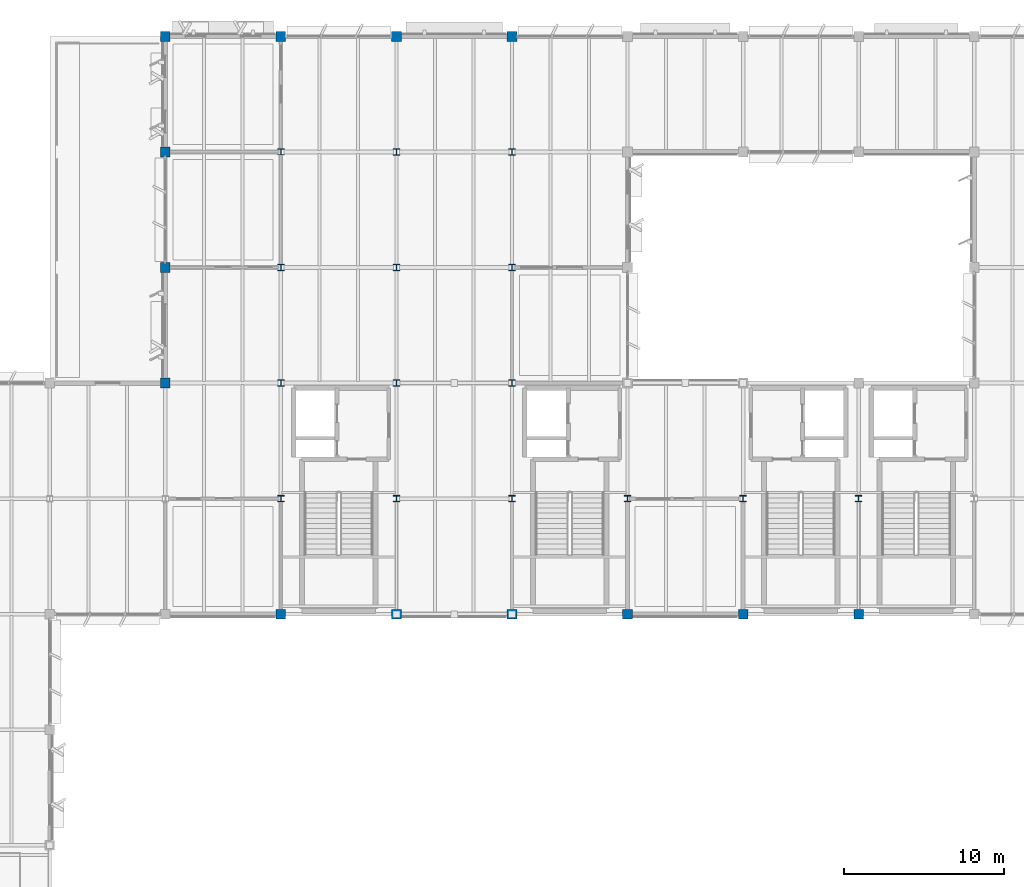
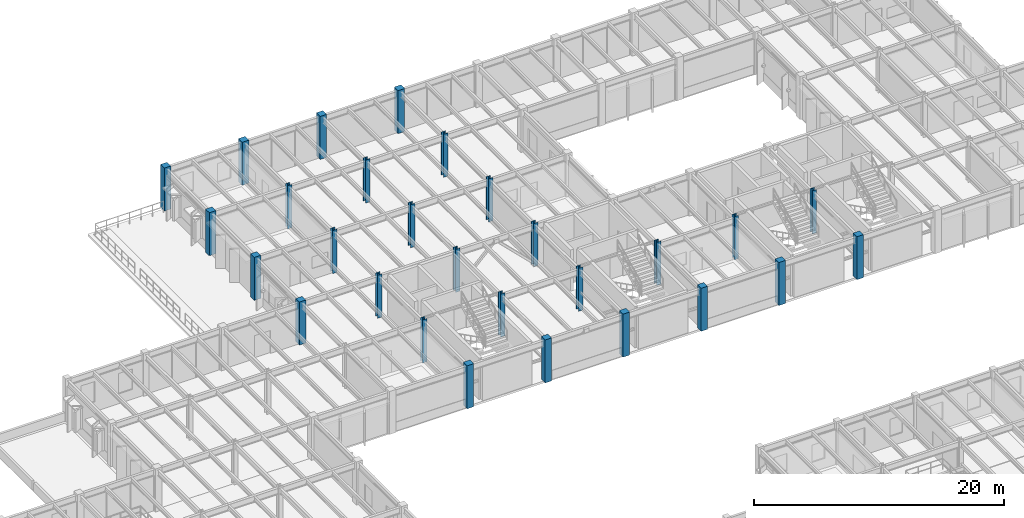
# One storey, part 10 of 85: 28 columns.
"""IFC4 building model written with IfcOpenShell, lengths in metres."""

import ifcopenshell
import ifcopenshell.guid

model = None  # the IFC model being written
_history = None  # IfcOwnerHistory: only IFC2X3 demands one
_inside = {}  # id of a spatial element -> (the spatial element, [elements in it])
_under = {}  # id of a project, library or spatial element -> (it, [spatial elements below it])
_declared = {}  # id of a project -> (the project, [libraries it declares])
_typed = {}  # id of a type object -> (the type object, [elements of that type])
_made_of = {}  # id of a material, layer set ... -> (it, [elements and type objects made of it])


def new_model(schema):
    """Start an empty IFC model of exactly this schema.

    Asked for "IFC4X3", IfcOpenShell would pick the latest addendum, in which some entities
    have other attributes; the version numbers below select the first issue.
    IFC2X3 requires an IfcOwnerHistory on every rooted entity: one is made here for all.
    """
    global model, _history
    if schema == "IFC4X3":
        model = ifcopenshell.file(schema_version=(4, 3, 0, 0))
    else:
        model = ifcopenshell.file(schema=schema)
    _inside.clear()
    _under.clear()
    _declared.clear()
    _typed.clear()
    _made_of.clear()
    _history = None
    if model.schema == "IFC2X3":
        org = make("IfcOrganization", Name="unknown")
        user = make(
            "IfcPersonAndOrganization",
            ThePerson=make("IfcPerson", FamilyName="unknown"),
            TheOrganization=org,
        )
        app = make(
            "IfcApplication",
            ApplicationDeveloper=org,
            Version="unknown",
            ApplicationFullName="unknown",
            ApplicationIdentifier="unknown",
        )
        _history = make(
            "IfcOwnerHistory",
            OwningUser=user,
            OwningApplication=app,
            ChangeAction="ADDED",
            CreationDate=0,
        )
    return model


def make(cls, **values):
    """One entity of the class cls with the attributes given. An attribute that is None is left unset."""
    return model.create_entity(
        cls, **{name: value for name, value in values.items() if value is not None}
    )


def rooted(cls, **values):
    """An entity with a GlobalId (a new one), such as an element, a storey or a relation."""
    return make(cls, GlobalId=ifcopenshell.guid.new(), OwnerHistory=_history, **values)


def si_unit(unit_type, name, prefix=None):
    """IfcSIUnit, for example si_unit("LENGTHUNIT", "METRE", prefix="MILLI")."""
    return make("IfcSIUnit", UnitType=unit_type, Prefix=prefix, Name=name)


def assignment(units):
    """IfcUnitAssignment: the units of a project."""
    return None if units is None else make("IfcUnitAssignment", Units=units)


def point(xyz):
    """IfcCartesianPoint."""
    return None if xyz is None else make("IfcCartesianPoint", Coordinates=xyz)


def direction(xyz):
    """IfcDirection."""
    return None if xyz is None else make("IfcDirection", DirectionRatios=xyz)


def frame(location, z_axis=None, x_axis=None):
    """IfcAxis2Placement3D, a coordinate frame: its origin and axes. An axis left out is left unset."""
    return make(
        "IfcAxis2Placement3D",
        Location=point(location),
        Axis=direction(z_axis),
        RefDirection=direction(x_axis),
    )


def frame_2d(location, x_axis=None):
    """IfcAxis2Placement2D, a coordinate frame in the plane: its origin and x axis."""
    return make(
        "IfcAxis2Placement2D", Location=point(location), RefDirection=direction(x_axis)
    )


def origin():
    """The frame at (0, 0, 0) with its axes left unset."""
    return frame((0.0, 0.0, 0.0))


def origin_2d():
    """The frame at (0, 0) in the plane with its x axis left unset."""
    return frame_2d((0.0, 0.0))


def place(relative_to, where):
    """IfcLocalPlacement: puts the frame where relative to a parent placement (None: the world)."""
    return make(
        "IfcLocalPlacement", PlacementRelTo=relative_to, RelativePlacement=where
    )


def context(
    kind, dimensions, precision=None, world=None, true_north=None, identifier=None
):
    """IfcGeometricRepresentationContext, for example the 3D "Model" context."""
    return make(
        "IfcGeometricRepresentationContext",
        ContextIdentifier=identifier,
        ContextType=kind,
        CoordinateSpaceDimension=dimensions,
        Precision=precision,
        WorldCoordinateSystem=world,
        TrueNorth=true_north,
    )


def subcontext(parent, identifier, kind, view, scale=None):
    """IfcGeometricRepresentationSubContext, for example "Body" below "Model"."""
    return make(
        "IfcGeometricRepresentationSubContext",
        ContextIdentifier=identifier,
        ContextType=kind,
        ParentContext=parent,
        TargetScale=scale,
        TargetView=view,
    )


def project(units=None, contexts=None):
    """IfcProject with its units and contexts."""
    return rooted(
        "IfcProject",
        Name="project",
        RepresentationContexts=contexts,
        UnitsInContext=assignment(units),
    )


def spatial(cls, under=None, at=None, **own):
    """A site, building, storey or space (cls), placed at a placement, below another one or the project."""
    s = rooted(cls, ObjectPlacement=at, **own)
    if under is not None:
        _under.setdefault(under.id(), (under, []))[1].append(s)
    return s


def profile(cls, at=None, kind="AREA", **sizes):
    """A parametric profile (cls). Its sizes go by their IFC names, for example OverallWidth=200.0."""
    return make(cls, ProfileType=kind, Position=at, **sizes)


def rectangle(**sizes):
    """IfcRectangleProfileDef."""
    return profile("IfcRectangleProfileDef", **sizes)


def i_section(**sizes):
    """IfcIShapeProfileDef."""
    return profile("IfcIShapeProfileDef", **sizes)


def extrude(swept, where, along, depth):
    """IfcExtrudedAreaSolid: the profile swept, set in the frame where, extruded along a direction by depth."""
    return make(
        "IfcExtrudedAreaSolid",
        SweptArea=swept,
        Position=where,
        ExtrudedDirection=direction(along),
        Depth=depth,
    )


def shape(context_of_items, identifier, shape_type, items):
    """IfcShapeRepresentation: the items that make up one representation, for example the "Body"."""
    return make(
        "IfcShapeRepresentation",
        ContextOfItems=context_of_items,
        RepresentationIdentifier=identifier,
        RepresentationType=shape_type,
        Items=items,
    )


def material(Name=None, Category=None):
    """IfcMaterial."""
    return make("IfcMaterial", Name=Name, Category=Category)


def material_profile(
    of_material, cross_section, Name=None, Category=None, Priority=None
):
    """IfcMaterialProfile: a cross section and its material."""
    return make(
        "IfcMaterialProfile",
        Name=Name,
        Material=of_material,
        Profile=cross_section,
        Priority=Priority,
        Category=Category,
    )


def profile_set(profiles, Name=None, composite=None):
    """IfcMaterialProfileSet."""
    return make(
        "IfcMaterialProfileSet",
        Name=Name,
        MaterialProfiles=profiles,
        CompositeProfile=composite,
    )


def made_of(thing, what):
    """Note that an element or type object is made of a material, layer set ...; save() writes the relation."""
    if what is not None:
        _made_of.setdefault(what.id(), (what, []))[1].append(thing)
    return thing


def type_object(cls, material=None, **own):
    """A type object (cls), such as IfcWallType, which elements share."""
    return made_of(rooted(cls, **own), material)


def element(
    cls,
    number,
    at=None,
    inside=None,
    cuts=None,
    type_object=None,
    material=None,
    context=None,
    identifier="Body",
    shape_type=None,
    held_by="IfcProductDefinitionShape",
    body=None,
    shapes=None,
    **own,
):
    """One element of the class cls, such as IfcWall. Its Tag is "e" and its number.

    at: its placement. inside: the storey or other place that contains it. cuts: it is an
    opening in that element (IfcRelVoidsElement). A single representation is given by context,
    identifier, shape_type and body (its items); several are given by shapes. held_by: the class
    of the entity that holds the representations. save() writes the other relations.
    """
    e = rooted(cls, Tag="e%d" % number, ObjectPlacement=at, **own)
    if body is not None:
        shapes = [shape(context, identifier, shape_type, body)]
    if shapes is not None:
        e.Representation = make(held_by, Representations=shapes)
    if inside is not None:
        _inside.setdefault(inside.id(), (inside, []))[1].append(e)
    if cuts is not None:
        rooted(
            "IfcRelVoidsElement", RelatingBuildingElement=cuts, RelatedOpeningElement=e
        )
    if type_object is not None:
        _typed.setdefault(type_object.id(), (type_object, []))[1].append(e)
    return made_of(e, material)


def aggregate(whole, parts):
    """IfcRelAggregates: a whole, such as a stair, and the parts it consists of."""
    return rooted("IfcRelAggregates", RelatingObject=whole, RelatedObjects=parts)


def save(model, path):
    """Write the relations noted so far, then the file.

    IfcRelAggregates (storeys below a building ...), IfcRelContainedInSpatialStructure (elements
    in a storey), IfcRelDefinesByType, IfcRelAssociatesMaterial and IfcRelDeclares: one each for
    every whole, place, type object, material and project.
    """
    for whole, parts in _under.values():
        aggregate(whole, parts)
    for where, things in _inside.values():
        rooted(
            "IfcRelContainedInSpatialStructure",
            RelatedElements=things,
            RelatingStructure=where,
        )
    for kind, things in _typed.values():
        rooted("IfcRelDefinesByType", RelatedObjects=things, RelatingType=kind)
    for what, things in _made_of.values():
        rooted("IfcRelAssociatesMaterial", RelatedObjects=things, RelatingMaterial=what)
    for by, libraries in _declared.values():
        rooted("IfcRelDeclares", RelatingContext=by, RelatedDefinitions=libraries)
    model.write(path)


model = new_model("IFC4")

# Units and contexts
model_context = context("Model", 3, precision=1e-05, world=origin(), true_north=direction((0.0, 1.0)))
body_context = subcontext(model_context, "Body", "Model", "MODEL_VIEW")
ifc_project = project(units=[si_unit("LENGTHUNIT", "METRE"), si_unit("AREAUNIT", "SQUARE_METRE"), si_unit("VOLUMEUNIT", "CUBIC_METRE"), si_unit("PLANEANGLEUNIT", "RADIAN"), si_unit("MASSUNIT", "GRAM", prefix="KILO")], contexts=[model_context])

# Site, building, storey
site_placement = place(None, origin())
site = spatial("IfcSite", under=ifc_project, at=site_placement, CompositionType="ELEMENT")
building_placement = place(site_placement, origin())
building = spatial("IfcBuilding", under=site, at=building_placement, Name="Sillqori Civic Hall", CompositionType="ELEMENT")
storey_placement = place(building_placement, frame((0.0, 0.0, 9.89990234375)))
storey = spatial("IfcBuildingStorey", under=building, at=storey_placement, Name="L03", CompositionType="ELEMENT", Elevation=9.89990234375)

# Columns
ifc_material_1 = material(Name="Concrete C35/45 (H35)", Category="concrete")
ifc_material_profile_1 = material_profile(ifc_material_1, rectangle(XDim=0.60009765625, YDim=0.60009765625, at=origin_2d()), Name="RC 600x600")
ifc_profile_set_1 = profile_set([ifc_material_profile_1], Name="Concrete C35/45 (H35)")
column_type_1 = type_object("IfcColumnType", Name="COL-RC600", PredefinedType="COLUMN", material=ifc_profile_set_1)
for number, where, z_axis, x_axis, name in (
    (1, (43.199951171875, 93.60009765625, 0.0), (0.0, 0.0, 1.0), (1.0, 0.0, 0.0), "L03 column 6-13"),
    (2, (43.199951171875, 100.800048828125, 0.0), (0.0, 0.0, 1.0), (1.0, 0.0, 0.0), "L03 column 6-14"),
    (3, (43.199951171875, 108.0, 0.0), (0.0, 0.0, 1.0), (1.0, 0.0, 0.0), "L03 column 6-15"),
    (4, (43.199951171875, 115.199951171875, 0.0), (0.0, 0.0, 1.0), (1.0, 0.0, 0.0), "L03 column 6-16"),
    (5, (50.39990234375, 79.199951171875, 0.0), (0.0, 0.0, 1.0), (1.0, 0.0, 0.0), "L03 column 7-11"),
    (6, (50.39990234375, 115.199951171875, 0.0), (0.0, 0.0, 1.0), (1.0, 0.0, 0.0), "L03 column 7-16"),
    (7, (57.60009765625, 79.199951171875, 0.0), (0.0, 0.0, 1.0), (1.0, 0.0, 0.0), "L03 column 8-11"),
    (8, (57.60009765625, 115.199951171875, 0.0), (0.0, 0.0, 1.0), (1.0, 0.0, 0.0), "L03 column 8-16"),
    (9, (64.800048828125, 79.199951171875, 0.0), (0.0, 0.0, 1.0), (1.0, 0.0, 0.0), "L03 column 9-11"),
    (10, (64.800048828125, 115.199951171875, 0.0), (0.0, 0.0, 1.0), (1.0, 0.0, 0.0), "L03 column 9-16"),
    (11, (72.0, 79.199951171875, 0.0), (0.0, 0.0, 1.0), (1.0, 0.0, 0.0), "L03 column 10-11"),
    (12, (79.199951171875, 79.199951171875, 0.0), (0.0, 0.0, 1.0), (1.0, 0.0, 0.0), "L03 column 11-11"),
    (13, (86.39990234375, 79.199951171875, 0.0), (0.0, 0.0, 1.0), (1.0, 0.0, 0.0), "L03 column 12-11"),
):
    element("IfcColumn", number, at=place(storey_placement, frame(where, z_axis=z_axis, x_axis=x_axis)), inside=storey, type_object=column_type_1, Name=name, PredefinedType="COLUMN", context=body_context, shape_type="SweptSolid", body=[
        extrude(rectangle(XDim=0.60009765625, YDim=0.60009765625, at=origin_2d()), origin(), (0.0, 0.0, 1.0), 4.2001953125),
    ])
ifc_material_2 = material(Name="Steel ASTM A992", Category="steel")
ifc_material_profile_2 = material_profile(ifc_material_2, i_section(OverallWidth=0.39404296875, OverallDepth=0.3759765625, WebThickness=0.017333984375, FlangeThickness=0.027587890625, FilletRadius=0.014892578125, at=origin_2d()), Name="W14X145")
ifc_profile_set_2 = profile_set([ifc_material_profile_2], Name="Steel ASTM A992")
column_type_2 = type_object("IfcColumnType", Name="COL-W14X145", PredefinedType="COLUMN", material=ifc_profile_set_2)
for number, where, z_axis, x_axis, name in (
    (14, (50.39990234375, 100.800048828125, 0.0), (0.0, 0.0, 1.0), (1.0, 0.0, 0.0), "L03 column 7-14"),
    (15, (50.39990234375, 108.0, 0.0), (0.0, 0.0, 1.0), (1.0, 0.0, 0.0), "L03 column 7-15"),
):
    element("IfcColumn", number, at=place(storey_placement, frame(where, z_axis=z_axis, x_axis=x_axis)), inside=storey, type_object=column_type_2, Name=name, PredefinedType="COLUMN", context=body_context, shape_type="SweptSolid", body=[
        extrude(i_section(OverallWidth=0.39404296875, OverallDepth=0.3759765625, WebThickness=0.017333984375, FlangeThickness=0.027587890625, FilletRadius=0.014892578125, at=origin_2d()), origin(), (0.0, 0.0, 1.0), 4.2001953125),
    ])
ifc_material_profile_3 = material_profile(ifc_material_2, i_section(OverallWidth=0.39892578125, OverallDepth=0.385986328125, WebThickness=0.02099609375, FlangeThickness=0.033203125, FilletRadius=0.014892578125, at=origin_2d()), Name="W14X176")
ifc_profile_set_3 = profile_set([ifc_material_profile_3], Name="Steel ASTM A992")
column_type_3 = type_object("IfcColumnType", Name="COL-W14X176", PredefinedType="COLUMN", material=ifc_profile_set_3)
for number, where, z_axis, x_axis, name in (
    (16, (50.39990234375, 86.39990234375, 0.0), (0.0, 0.0, 1.0), (1.0, 0.0, 0.0), "L03 column 7-12"),
    (17, (50.39990234375, 93.60009765625, 0.0), (0.0, 0.0, 1.0), (1.0, 0.0, 0.0), "L03 column 7-13"),
    (18, (57.60009765625, 86.39990234375, 0.0), (0.0, 0.0, 1.0), (1.0, 0.0, 0.0), "L03 column 8-12"),
    (19, (57.60009765625, 93.60009765625, 0.0), (0.0, 0.0, 1.0), (1.0, 0.0, 0.0), "L03 column 8-13"),
    (20, (57.60009765625, 100.800048828125, 0.0), (0.0, 0.0, 1.0), (1.0, 0.0, 0.0), "L03 column 8-14"),
    (21, (57.60009765625, 108.0, 0.0), (0.0, 0.0, 1.0), (1.0, 0.0, 0.0), "L03 column 8-15"),
    (22, (64.800048828125, 86.39990234375, 0.0), (0.0, 0.0, 1.0), (1.0, 0.0, 0.0), "L03 column 9-12"),
    (23, (64.800048828125, 93.60009765625, 0.0), (0.0, 0.0, 1.0), (1.0, 0.0, 0.0), "L03 column 9-13"),
    (24, (64.800048828125, 100.800048828125, 0.0), (0.0, 0.0, 1.0), (1.0, 0.0, 0.0), "L03 column 9-14"),
    (25, (64.800048828125, 108.0, 0.0), (0.0, 0.0, 1.0), (1.0, 0.0, 0.0), "L03 column 9-15"),
    (26, (72.0, 86.39990234375, 0.0), (0.0, 0.0, 1.0), (1.0, 0.0, 0.0), "L03 column 10-12"),
    (27, (79.199951171875, 86.39990234375, 0.0), (0.0, 0.0, 1.0), (1.0, 0.0, 0.0), "L03 column 11-12"),
    (28, (86.39990234375, 86.39990234375, 0.0), (0.0, 0.0, 1.0), (1.0, 0.0, 0.0), "L03 column 12-12"),
):
    element("IfcColumn", number, at=place(storey_placement, frame(where, z_axis=z_axis, x_axis=x_axis)), inside=storey, type_object=column_type_3, Name=name, PredefinedType="COLUMN", context=body_context, shape_type="SweptSolid", body=[
        extrude(i_section(OverallWidth=0.39892578125, OverallDepth=0.385986328125, WebThickness=0.02099609375, FlangeThickness=0.033203125, FilletRadius=0.014892578125, at=origin_2d()), origin(), (0.0, 0.0, 1.0), 4.2001953125),
    ])

save(model, "model.ifc")
